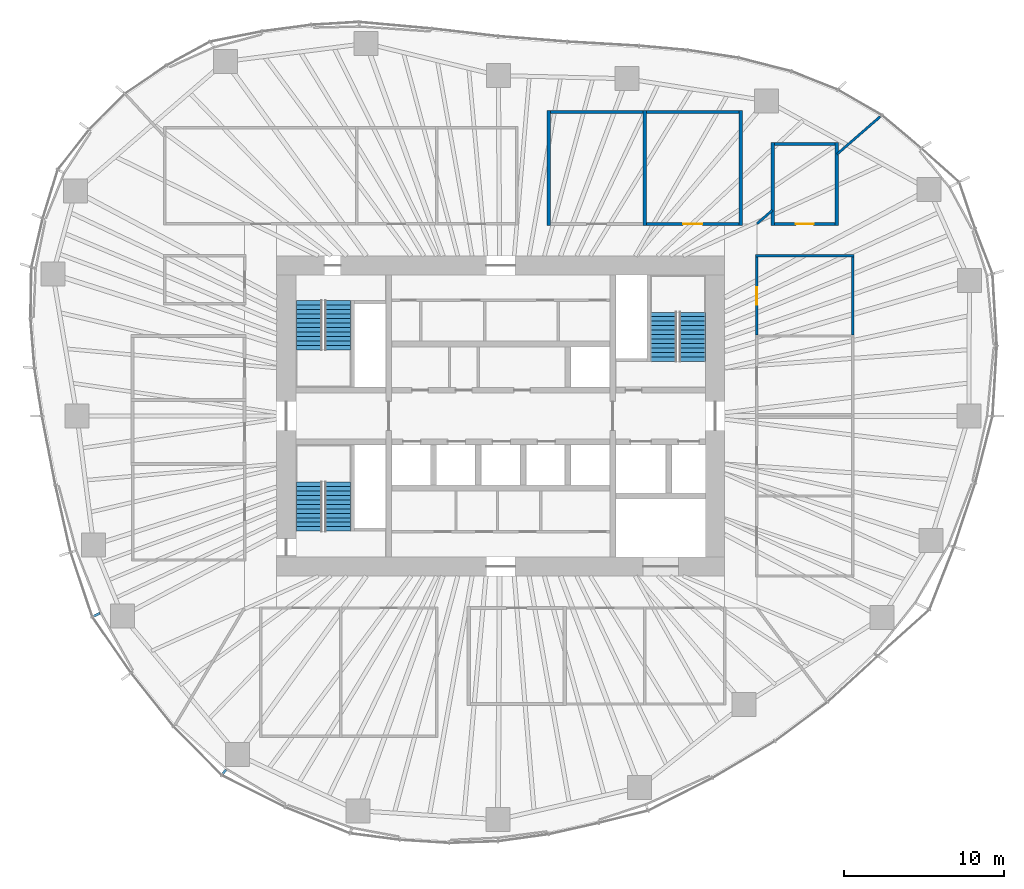
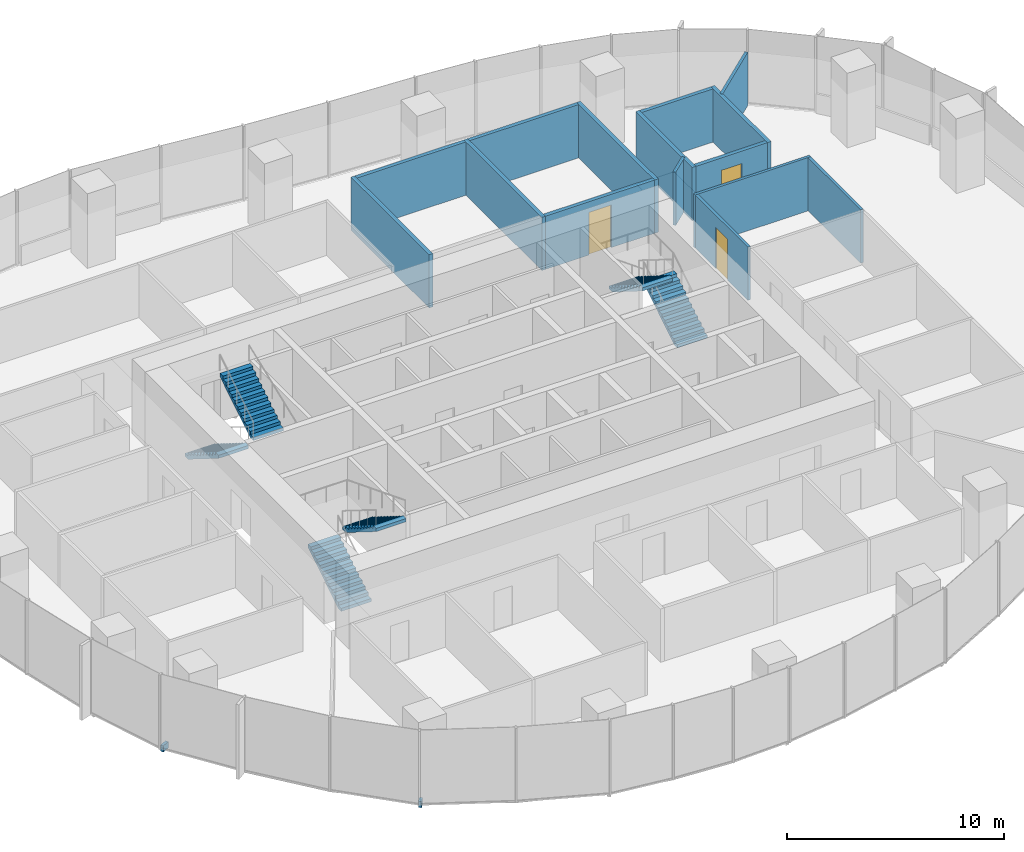
# One storey, part 11 of 18: 15 walls, 6 stair flights, 3 doors, 2 discrete accessories, 3 openings, 3 elements without a shape of their own.
"""IFC4 building model written with IfcOpenShell, lengths in metres."""

from ifc_helpers import new_model, si_unit, direction, frame, frame_2d, origin, origin_2d, place, context, subcontext, project, spatial, polyline, rectangle, outline, extrude, material, layer, layer_set, type_object, element, fill, aggregate, save


model = new_model("IFC4")

# Units and contexts
model_context = context("Model", 3, precision=1e-05, world=origin(), true_north=direction((0.0, 1.0)))
body_context = subcontext(model_context, "Body", "Model", "MODEL_VIEW")
ifc_project = project(units=[si_unit("LENGTHUNIT", "METRE"), si_unit("AREAUNIT", "SQUARE_METRE"), si_unit("VOLUMEUNIT", "CUBIC_METRE"), si_unit("PLANEANGLEUNIT", "RADIAN"), si_unit("MASSUNIT", "GRAM", prefix="KILO")], contexts=[model_context])

# Site, building, storey
site_placement = place(None, origin())
site = spatial("IfcSite", under=ifc_project, at=site_placement, CompositionType="ELEMENT")
building_placement = place(site_placement, origin())
building = spatial("IfcBuilding", under=site, at=building_placement, Name="Ghaith Harvest Tower", CompositionType="ELEMENT")
storey_placement = place(building_placement, frame((0.0, 0.0, 126.0)))
storey = spatial("IfcBuildingStorey", under=building, at=storey_placement, Name="L26", CompositionType="ELEMENT", Elevation=126.0)

# Walls
ifc_material_1 = material(Name="Twin-stud gypsum board, acoustic", Category="gypsum")
ifc_layer_1 = layer(ifc_material_1, 0.199951171875)
ifc_layer_set_1 = layer_set([ifc_layer_1], Name="ACOUSTIC PARTITION 200")
wall_type_1 = type_object("IfcWallType", Name="ACOUSTIC PARTITION 200", PredefinedType="PARTITIONING", material=ifc_layer_set_1)
for number, where, z_axis, x_axis, name in (
    (1, (3.0, 11.89990234375, 0.0), (0.0, 0.0, 1.0), (0.0, 1.0, 0.0), "Partition L26 row N2 cross wall 1"),
    (2, (9.0, 11.89990234375, 0.0), (0.0, 0.0, 1.0), (0.0, 1.0, 0.0), "Partition L26 row N2 cross wall 2"),
    (3, (15.0, 11.89990234375, 0.0), (0.0, 0.0, 1.0), (0.0, 1.0, 0.0), "Partition L26 row N2 cross wall 3"),
):
    element("IfcWall", number, at=place(storey_placement, frame(where, z_axis=z_axis, x_axis=x_axis)), inside=storey, type_object=wall_type_1, Name=name, PredefinedType="PARTITIONING", context=body_context, shape_type="SweptSolid", body=[
        extrude(rectangle(XDim=7.2001953125, YDim=0.199951171875, at=frame_2d((3.60009765625, 0.0))), origin(), (0.0, 0.0, 1.0), 3.0),
    ])
wall_1_placement = place(storey_placement, frame((3.10009765625, 19.0, 0.0), z_axis=(0.0, 0.0, 1.0), x_axis=(1.0, 0.0, 0.0)))
element("IfcWall", 4, at=wall_1_placement, inside=storey, type_object=wall_type_1, Name="Partition L26-04", PredefinedType="PARTITIONING", context=body_context, shape_type="SweptSolid", body=[
    extrude(rectangle(XDim=5.7998046875, YDim=0.199951171875, at=frame_2d((2.89990234375, 0.0))), origin(), (0.0, 0.0, 1.0), 3.0),
])

# Wall, opening, door
wall_2_placement = place(storey_placement, frame((9.10009765625, 12.0, 0.0), z_axis=(0.0, 0.0, 1.0), x_axis=(1.0, 0.0, 0.0)))
wall_2 = element("IfcWall", 5, at=wall_2_placement, inside=storey, type_object=wall_type_1, Name="Partition L26-05", PredefinedType="PARTITIONING", context=body_context, shape_type="SweptSolid", body=[
    extrude(rectangle(XDim=5.7998046875, YDim=0.199951171875, at=frame_2d((2.89990234375, 0.0))), origin(), (0.0, 0.0, 1.0), 3.0),
])
opening_1_placement = place(wall_2_placement, frame((2.300048828125, 0.0, 0.0)))
opening_1 = element("IfcOpeningElement", 6, at=opening_1_placement, cuts=wall_2, Name="Opening 26-032", PredefinedType="OPENING", context=body_context, shape_type="SweptSolid", body=[
    extrude(rectangle(XDim=1.199951171875, YDim=2.39990234375, at=frame_2d((0.60009765625, 1.199951171875))), frame((0.0, 0.10986328125, 0.0), z_axis=(0.0, -1.0, 0.0), x_axis=(1.0, 0.0, 0.0)), (0.0, 0.0, 1.0), 0.219970703125),
])
ifc_material_2 = material(Name="Timber door", Category="wood")
door_type_1 = type_object("IfcDoorType", Name="D11 GLAZED 1200x2400", OperationType="SINGLE_SWING_LEFT", PredefinedType="DOOR", material=ifc_material_2)
door_1_placement = place(opening_1_placement, origin())
door_1 = element("IfcDoor", 7, at=door_1_placement, inside=storey, type_object=door_type_1, Name="Meeting room door", OperationType="SINGLE_SWING_LEFT", OverallHeight=2.39990234375, OverallWidth=1.199951171875, PredefinedType="DOOR", context=body_context, shape_type="SweptSolid", body=[
    extrude(rectangle(XDim=1.199951171875, YDim=2.39990234375, at=frame_2d((0.60009765625, 1.199951171875))), frame((0.0, 0.02490234375, 0.0), z_axis=(0.0, -1.0, 0.0), x_axis=(1.0, 0.0, 0.0)), (0.0, 0.0, 1.0), 0.050048828125),
])
fill(opening_1, door_1)

# Walls
wall_3_placement = place(storey_placement, frame((9.10009765625, 19.0, 0.0), z_axis=(0.0, 0.0, 1.0), x_axis=(1.0, 0.0, 0.0)))
element("IfcWall", 8, at=wall_3_placement, inside=storey, type_object=wall_type_1, Name="Partition L26-05", PredefinedType="PARTITIONING", context=body_context, shape_type="SweptSolid", body=[
    extrude(rectangle(XDim=5.7998046875, YDim=0.199951171875, at=frame_2d((2.89990234375, 0.0))), origin(), (0.0, 0.0, 1.0), 3.0),
])
for number, where, z_axis, x_axis, name in (
    (9, (17.0, 11.89990234375, 0.0), (0.0, 0.0, 1.0), (0.0, 1.0, 0.0), "Partition L26 row N7 cross wall 1"),
    (10, (21.0, 11.89990234375, 0.0), (0.0, 0.0, 1.0), (0.0, 1.0, 0.0), "Partition L26 row N7 cross wall 2"),
):
    element("IfcWall", number, at=place(storey_placement, frame(where, z_axis=z_axis, x_axis=x_axis)), inside=storey, type_object=wall_type_1, Name=name, PredefinedType="PARTITIONING", context=body_context, shape_type="SweptSolid", body=[
        extrude(rectangle(XDim=5.2001953125, YDim=0.199951171875, at=frame_2d((2.60009765625, 0.0))), origin(), (0.0, 0.0, 1.0), 3.0),
    ])

# Wall, opening, door
wall_4_placement = place(storey_placement, frame((17.10009765625, 12.0, 0.0), z_axis=(0.0, 0.0, 1.0), x_axis=(1.0, 0.0, 0.0)))
wall_4 = element("IfcWall", 11, at=wall_4_placement, inside=storey, type_object=wall_type_1, Name="Partition L26-18", PredefinedType="PARTITIONING", context=body_context, shape_type="SweptSolid", body=[
    extrude(rectangle(XDim=3.7998046875, YDim=0.199951171875, at=frame_2d((1.89990234375, 0.0))), origin(), (0.0, 0.0, 1.0), 3.0),
])
opening_2_placement = place(wall_4_placement, frame((1.35009765625, 0.0, 0.0)))
opening_2 = element("IfcOpeningElement", 12, at=opening_2_placement, cuts=wall_4, Name="Opening 26-045", PredefinedType="OPENING", context=body_context, shape_type="SweptSolid", body=[
    extrude(rectangle(XDim=1.10009765625, YDim=2.300048828125, at=frame_2d((0.550048828125, 1.14990234375))), frame((0.0, 0.10986328125, 0.0), z_axis=(0.0, -1.0, 0.0), x_axis=(1.0, 0.0, 0.0)), (0.0, 0.0, 1.0), 0.219970703125),
])
ifc_material_3 = material(Name="Timber-framed glazed door", Category="wood")
door_type_2 = type_object("IfcDoorType", Name="D12 GLAZED OFFICE 1100x2300", OperationType="SINGLE_SWING_LEFT", PredefinedType="DOOR", material=ifc_material_3)
door_2_placement = place(opening_2_placement, origin())
door_2 = element("IfcDoor", 13, at=door_2_placement, inside=storey, type_object=door_type_2, Name="Focus room door", OperationType="SINGLE_SWING_LEFT", OverallHeight=2.300048828125, OverallWidth=1.10009765625, PredefinedType="DOOR", context=body_context, shape_type="SweptSolid", body=[
    extrude(rectangle(XDim=1.10009765625, YDim=2.300048828125, at=frame_2d((0.550048828125, 1.14990234375))), frame((0.0, 0.02490234375, 0.0), z_axis=(0.0, -1.0, 0.0), x_axis=(1.0, 0.0, 0.0)), (0.0, 0.0, 1.0), 0.050048828125),
])
fill(opening_2, door_2)

# Walls
wall_5_placement = place(storey_placement, frame((17.10009765625, 17.0, 0.0), z_axis=(0.0, 0.0, 1.0), x_axis=(1.0, 0.0, 0.0)))
element("IfcWall", 14, at=wall_5_placement, inside=storey, type_object=wall_type_1, Name="Partition L26-18", PredefinedType="PARTITIONING", context=body_context, shape_type="SweptSolid", body=[
    extrude(rectangle(XDim=3.7998046875, YDim=0.199951171875, at=frame_2d((1.89990234375, 0.0))), origin(), (0.0, 0.0, 1.0), 3.0),
])
ifc_material_4 = material(Name="Gypsum board on steel studs", Category="steel")
ifc_layer_2 = layer(ifc_material_4, 0.14990234375)
ifc_layer_set_2 = layer_set([ifc_layer_2], Name="PARTITION 150")
wall_type_2 = type_object("IfcWallType", Name="PARTITION 150", PredefinedType="PARTITIONING", material=ifc_layer_set_2)
wall_6_placement = place(storey_placement, frame((15.925048828125, 10.0, 0.0), z_axis=(0.0, 0.0, 1.0), x_axis=(1.0, 0.0, 0.0)))
element("IfcWall", 15, at=wall_6_placement, inside=storey, type_object=wall_type_2, Name="Partition L26 row E3 cross wall 5", PredefinedType="PARTITIONING", context=body_context, shape_type="SweptSolid", body=[
    extrude(rectangle(XDim=6.14990234375, YDim=0.14990234375, at=frame_2d((3.074951171875, 0.0))), origin(), (0.0, 0.0, 1.0), 3.0),
])

# Wall, opening, door
wall_7_placement = place(storey_placement, frame((16.0, 5.074951171875, 0.0), z_axis=(0.0, 0.0, 1.0), x_axis=(0.0, 1.0, 0.0)))
wall_7 = element("IfcWall", 16, at=wall_7_placement, inside=storey, type_object=wall_type_2, Name="Partition L26-09", PredefinedType="PARTITIONING", context=body_context, shape_type="SweptSolid", body=[
    extrude(rectangle(XDim=4.85009765625, YDim=0.14990234375, at=frame_2d((2.425048828125, 0.0))), origin(), (0.0, 0.0, 1.0), 3.0),
])
opening_3_placement = place(wall_7_placement, frame((1.875, 0.0, 0.0)))
opening_3 = element("IfcOpeningElement", 17, at=opening_3_placement, cuts=wall_7, Name="Opening 26-036", PredefinedType="OPENING", context=body_context, shape_type="SweptSolid", body=[
    extrude(rectangle(XDim=1.10009765625, YDim=2.300048828125, at=frame_2d((0.550048828125, 1.14990234375))), frame((0.0, 0.0849609375, 0.0), z_axis=(0.0, -1.0, 0.0), x_axis=(1.0, 0.0, 0.0)), (0.0, 0.0, 1.0), 0.169921875),
])
door_3_placement = place(opening_3_placement, origin())
door_3 = element("IfcDoor", 18, at=door_3_placement, inside=storey, type_object=door_type_2, Name="Office door", OperationType="SINGLE_SWING_LEFT", OverallHeight=2.300048828125, OverallWidth=1.10009765625, PredefinedType="DOOR", context=body_context, shape_type="SweptSolid", body=[
    extrude(rectangle(XDim=1.10009765625, YDim=2.300048828125, at=frame_2d((0.550048828125, 1.14990234375))), frame((0.0, 0.02490234375, 0.0), z_axis=(0.0, -1.0, 0.0), x_axis=(1.0, 0.0, 0.0)), (0.0, 0.0, 1.0), 0.050048828125),
])
fill(opening_3, door_3)

# Walls
wall_8_placement = place(storey_placement, frame((22.0, 5.074951171875, 0.0), z_axis=(0.0, 0.0, 1.0), x_axis=(0.0, 1.0, 0.0)))
element("IfcWall", 19, at=wall_8_placement, inside=storey, type_object=wall_type_2, Name="Partition L26-09", PredefinedType="PARTITIONING", context=body_context, shape_type="SweptSolid", body=[
    extrude(rectangle(XDim=4.85009765625, YDim=0.14990234375, at=frame_2d((2.425048828125, 0.0))), origin(), (0.0, 0.0, 1.0), 3.0),
])
wall_9_placement = place(storey_placement, frame((21.02001953125, 16.364013671875, 0.0), z_axis=(0.0, 0.0, 1.0), x_axis=(0.75467183248, 0.656102450278, 0.0)))
element("IfcWall", 20, at=wall_9_placement, inside=storey, type_object=wall_type_2, Name="Partition L26 zone division", PredefinedType="PARTITIONING", context=body_context, shape_type="SweptSolid", body=[
    extrude(rectangle(XDim=3.566650390625, YDim=0.14990234375, at=frame_2d((1.783203125, 0.0))), origin(), (0.0, 0.0, 1.0), 3.0),
])
wall_10_placement = place(storey_placement, frame((16.01513671875, 12.01318359375, 0.0), z_axis=(0.0, 0.0, 1.0), x_axis=(0.754654851831, 0.656121981501, 0.0)))
element("IfcWall", 21, at=wall_10_placement, inside=storey, type_object=wall_type_2, Name="Partition L26 zone division", PredefinedType="PARTITIONING", context=body_context, shape_type="SweptSolid", body=[
    extrude(rectangle(XDim=1.278564453125, YDim=0.14990234375, at=frame_2d((0.63916015625, 0.0))), origin(), (0.0, 0.0, 1.0), 3.0),
])

# Stair, stair flights
ifc_material_5 = material(Name="Concrete C40/50, precast", Category="concrete")
stair_type = type_object("IfcStairType", Name="CORE STAIR 24R", PredefinedType="HALF_TURN_STAIR", material=ifc_material_5)
stair_1_placement = place(storey_placement, origin())
stair_1 = element("IfcStair", 22, at=stair_1_placement, inside=storey, type_object=stair_type, Name="Stair ST1 L26", PredefinedType="HALF_TURN_STAIR")
ifc_material_6 = material(Name="Concrete C40/50, precast", Category="concrete")
stair_flight_type = type_object("IfcStairFlightType", Name="CORE FLIGHT 12R 1600", PredefinedType="STRAIGHT", material=ifc_material_6)
stair_flight_1_placement = place(storey_placement, frame((-12.0, 7.199951171875, 0.0), z_axis=(0.0, 0.0, 1.0), x_axis=(0.0, -1.0, 0.0)))
stair_flight_1 = element("IfcStairFlight", 23, at=stair_flight_1_placement, type_object=stair_flight_type, Name="ST1 flight 1", NumberOfRisers=12, NumberOfTreads=11, PredefinedType="STRAIGHT", RiserHeight=0.175, TreadLength=0.28, context=body_context, shape_type="SweptSolid", body=[
    extrude(outline(polyline([(0.0, 0.0), (0.0, 0.175048828125), (0.280029296875, 0.175048828125), (0.280029296875, 0.35009765625), (0.56005859375, 0.35009765625), (0.56005859375, 0.52490234375), (0.840087890625, 0.52490234375), (0.840087890625, 0.699951171875), (1.1201171875, 0.699951171875), (1.1201171875, 0.875), (1.39990234375, 0.875), (1.39990234375, 1.050048828125), (1.679931640625, 1.050048828125), (1.679931640625, 1.22509765625), (1.9599609375, 1.22509765625), (1.9599609375, 1.39990234375), (2.239990234375, 1.39990234375), (2.239990234375, 1.574951171875), (2.52001953125, 1.574951171875), (2.52001953125, 1.75), (2.800048828125, 1.75), (2.800048828125, 1.925048828125), (3.080078125, 1.925048828125), (3.080078125, 2.10009765625), (3.080078125, 1.748291015625), (0.28271484375, 0.0), (0.0, 0.0)])), frame((0.0, 0.800048828125, 0.0), z_axis=(0.0, -1.0, 0.0), x_axis=(1.0, 0.0, 0.0)), (0.0, 0.0, 1.0), 1.60009765625),
])
stair_flight_2_placement = place(storey_placement, frame((-10.14990234375, 4.1201171875, 2.10009765625), z_axis=(0.0, 0.0, 1.0), x_axis=(0.0, 1.0, 0.0)))
stair_flight_2 = element("IfcStairFlight", 24, at=stair_flight_2_placement, type_object=stair_flight_type, Name="ST1 flight 2", NumberOfRisers=12, NumberOfTreads=11, PredefinedType="STRAIGHT", RiserHeight=0.175, TreadLength=0.28, context=body_context, shape_type="SweptSolid", body=[
    extrude(outline(polyline([(0.0, 0.0), (0.0, 0.175048828125), (0.280029296875, 0.175048828125), (0.280029296875, 0.35009765625), (0.56005859375, 0.35009765625), (0.56005859375, 0.52490234375), (0.840087890625, 0.52490234375), (0.840087890625, 0.699951171875), (1.1201171875, 0.699951171875), (1.1201171875, 0.875), (1.39990234375, 0.875), (1.39990234375, 1.050048828125), (1.679931640625, 1.050048828125), (1.679931640625, 1.22509765625), (1.9599609375, 1.22509765625), (1.9599609375, 1.39990234375), (2.239990234375, 1.39990234375), (2.239990234375, 1.574951171875), (2.52001953125, 1.574951171875), (2.52001953125, 1.75), (2.800048828125, 1.75), (2.800048828125, 1.925048828125), (3.080078125, 1.925048828125), (3.080078125, 2.10009765625), (3.080078125, 1.748291015625), (0.28271484375, 0.0), (0.0, 0.0)])), frame((0.0, 0.800048828125, 0.0), z_axis=(0.0, -1.0, 0.0), x_axis=(1.0, 0.0, 0.0)), (0.0, 0.0, 1.0), 1.60009765625),
])
aggregate(stair_1, [stair_flight_1, stair_flight_2])

stair_2_placement = place(storey_placement, origin())
stair_2 = element("IfcStair", 25, at=stair_2_placement, inside=storey, type_object=stair_type, Name="Stair ST3 L26", PredefinedType="HALF_TURN_STAIR")
stair_flight_3_placement = place(storey_placement, frame((-12.0, -7.199951171875, 0.0), z_axis=(0.0, 0.0, 1.0), x_axis=(0.0, 1.0, 0.0)))
stair_flight_3 = element("IfcStairFlight", 26, at=stair_flight_3_placement, type_object=stair_flight_type, Name="ST3 flight 1", NumberOfRisers=12, NumberOfTreads=11, PredefinedType="STRAIGHT", RiserHeight=0.175, TreadLength=0.28, context=body_context, shape_type="SweptSolid", body=[
    extrude(outline(polyline([(0.0, 0.0), (0.0, 0.175048828125), (0.280029296875, 0.175048828125), (0.280029296875, 0.35009765625), (0.56005859375, 0.35009765625), (0.56005859375, 0.52490234375), (0.840087890625, 0.52490234375), (0.840087890625, 0.699951171875), (1.1201171875, 0.699951171875), (1.1201171875, 0.875), (1.39990234375, 0.875), (1.39990234375, 1.050048828125), (1.679931640625, 1.050048828125), (1.679931640625, 1.22509765625), (1.9599609375, 1.22509765625), (1.9599609375, 1.39990234375), (2.239990234375, 1.39990234375), (2.239990234375, 1.574951171875), (2.52001953125, 1.574951171875), (2.52001953125, 1.75), (2.800048828125, 1.75), (2.800048828125, 1.925048828125), (3.080078125, 1.925048828125), (3.080078125, 2.10009765625), (3.080078125, 1.748291015625), (0.28271484375, 0.0), (0.0, 0.0)])), frame((0.0, 0.800048828125, 0.0), z_axis=(0.0, -1.0, 0.0), x_axis=(1.0, 0.0, 0.0)), (0.0, 0.0, 1.0), 1.60009765625),
])
stair_flight_4_placement = place(storey_placement, frame((-10.14990234375, -4.1201171875, 2.10009765625), z_axis=(0.0, 0.0, 1.0), x_axis=(0.0, -1.0, 0.0)))
stair_flight_4 = element("IfcStairFlight", 27, at=stair_flight_4_placement, type_object=stair_flight_type, Name="ST3 flight 2", NumberOfRisers=12, NumberOfTreads=11, PredefinedType="STRAIGHT", RiserHeight=0.175, TreadLength=0.28, context=body_context, shape_type="SweptSolid", body=[
    extrude(outline(polyline([(0.0, 0.0), (0.0, 0.175048828125), (0.280029296875, 0.175048828125), (0.280029296875, 0.35009765625), (0.56005859375, 0.35009765625), (0.56005859375, 0.52490234375), (0.840087890625, 0.52490234375), (0.840087890625, 0.699951171875), (1.1201171875, 0.699951171875), (1.1201171875, 0.875), (1.39990234375, 0.875), (1.39990234375, 1.050048828125), (1.679931640625, 1.050048828125), (1.679931640625, 1.22509765625), (1.9599609375, 1.22509765625), (1.9599609375, 1.39990234375), (2.239990234375, 1.39990234375), (2.239990234375, 1.574951171875), (2.52001953125, 1.574951171875), (2.52001953125, 1.75), (2.800048828125, 1.75), (2.800048828125, 1.925048828125), (3.080078125, 1.925048828125), (3.080078125, 2.10009765625), (3.080078125, 1.748291015625), (0.28271484375, 0.0), (0.0, 0.0)])), frame((0.0, 0.800048828125, 0.0), z_axis=(0.0, -1.0, 0.0), x_axis=(1.0, 0.0, 0.0)), (0.0, 0.0, 1.0), 1.60009765625),
])
aggregate(stair_2, [stair_flight_3, stair_flight_4])

stair_3_placement = place(storey_placement, origin())
stair_3 = element("IfcStair", 28, at=stair_3_placement, inside=storey, type_object=stair_type, Name="Stair ST2 L26", PredefinedType="HALF_TURN_STAIR")
stair_flight_5_placement = place(storey_placement, frame((12.0, 3.39990234375, 0.0), z_axis=(0.0, 0.0, 1.0), x_axis=(0.0, 1.0, 0.0)))
stair_flight_5 = element("IfcStairFlight", 29, at=stair_flight_5_placement, type_object=stair_flight_type, Name="ST2 flight 1", NumberOfRisers=12, NumberOfTreads=11, PredefinedType="STRAIGHT", RiserHeight=0.175, TreadLength=0.28, context=body_context, shape_type="SweptSolid", body=[
    extrude(outline(polyline([(0.0, 0.0), (0.0, 0.175048828125), (0.280029296875, 0.175048828125), (0.280029296875, 0.35009765625), (0.56005859375, 0.35009765625), (0.56005859375, 0.52490234375), (0.840087890625, 0.52490234375), (0.840087890625, 0.699951171875), (1.1201171875, 0.699951171875), (1.1201171875, 0.875), (1.39990234375, 0.875), (1.39990234375, 1.050048828125), (1.679931640625, 1.050048828125), (1.679931640625, 1.22509765625), (1.9599609375, 1.22509765625), (1.9599609375, 1.39990234375), (2.239990234375, 1.39990234375), (2.239990234375, 1.574951171875), (2.52001953125, 1.574951171875), (2.52001953125, 1.75), (2.800048828125, 1.75), (2.800048828125, 1.925048828125), (3.080078125, 1.925048828125), (3.080078125, 2.10009765625), (3.080078125, 1.748291015625), (0.28271484375, 0.0), (0.0, 0.0)])), frame((0.0, 0.800048828125, 0.0), z_axis=(0.0, -1.0, 0.0), x_axis=(1.0, 0.0, 0.0)), (0.0, 0.0, 1.0), 1.60009765625),
])
stair_flight_6_placement = place(storey_placement, frame((10.14990234375, 6.47998046875, 2.10009765625), z_axis=(0.0, 0.0, 1.0), x_axis=(0.0, -1.0, 0.0)))
stair_flight_6 = element("IfcStairFlight", 30, at=stair_flight_6_placement, type_object=stair_flight_type, Name="ST2 flight 2", NumberOfRisers=12, NumberOfTreads=11, PredefinedType="STRAIGHT", RiserHeight=0.175, TreadLength=0.28, context=body_context, shape_type="SweptSolid", body=[
    extrude(outline(polyline([(0.0, 0.0), (0.0, 0.175048828125), (0.280029296875, 0.175048828125), (0.280029296875, 0.35009765625), (0.56005859375, 0.35009765625), (0.56005859375, 0.52490234375), (0.840087890625, 0.52490234375), (0.840087890625, 0.699951171875), (1.1201171875, 0.699951171875), (1.1201171875, 0.875), (1.39990234375, 0.875), (1.39990234375, 1.050048828125), (1.679931640625, 1.050048828125), (1.679931640625, 1.22509765625), (1.9599609375, 1.22509765625), (1.9599609375, 1.39990234375), (2.239990234375, 1.39990234375), (2.239990234375, 1.574951171875), (2.52001953125, 1.574951171875), (2.52001953125, 1.75), (2.800048828125, 1.75), (2.800048828125, 1.925048828125), (3.080078125, 1.925048828125), (3.080078125, 2.10009765625), (3.080078125, 1.748291015625), (0.28271484375, 0.0), (0.0, 0.0)])), frame((0.0, 0.800048828125, 0.0), z_axis=(0.0, -1.0, 0.0), x_axis=(1.0, 0.0, 0.0)), (0.0, 0.0, 1.0), 1.60009765625),
])
aggregate(stair_3, [stair_flight_5, stair_flight_6])

# Discrete accessories
ifc_material_7 = material(Name="Stainless steel grade 1.4401", Category="steel")
discrete_accessory_type_1 = type_object("IfcDiscreteAccessoryType", Name="CURTAIN WALL BRACKET 315", PredefinedType="BRACKET", material=ifc_material_7)
discrete_accessory_1_placement = place(storey_placement, frame((-17.266357421875, -22.232421875, -0.25), z_axis=(0.0, 0.0, 1.0), x_axis=(-0.613377713774, -0.789789706343, 0.0)))
element("IfcDiscreteAccessory", 31, at=discrete_accessory_1_placement, inside=storey, type_object=discrete_accessory_type_1, Name="CW-L bracket 1 bay 14 L26", PredefinedType="BRACKET", context=body_context, shape_type="SweptSolid", body=[
    extrude(rectangle(XDim=0.31494140625, YDim=0.14990234375, at=origin_2d()), origin(), (0.0, 0.0, 1.0), 0.35009765625),
])
ifc_material_8 = material(Name="Stainless steel grade 1.4401", Category="steel")
discrete_accessory_type_2 = type_object("IfcDiscreteAccessoryType", Name="CURTAIN WALL BRACKET 415", PredefinedType="BRACKET", material=ifc_material_8)
discrete_accessory_2_placement = place(storey_placement, frame((-25.228515625, -12.41796875, -0.25), z_axis=(0.0, 0.0, 1.0), x_axis=(-0.897201221415, -0.441621974421, 0.0)))
element("IfcDiscreteAccessory", 32, at=discrete_accessory_2_placement, inside=storey, type_object=discrete_accessory_type_2, Name="CW-L bracket 2 bay 12 L26", PredefinedType="BRACKET", context=body_context, shape_type="SweptSolid", body=[
    extrude(rectangle(XDim=0.4150390625, YDim=0.14990234375, at=origin_2d()), origin(), (0.0, 0.0, 1.0), 0.35009765625),
])

save(model, "model.ifc")
